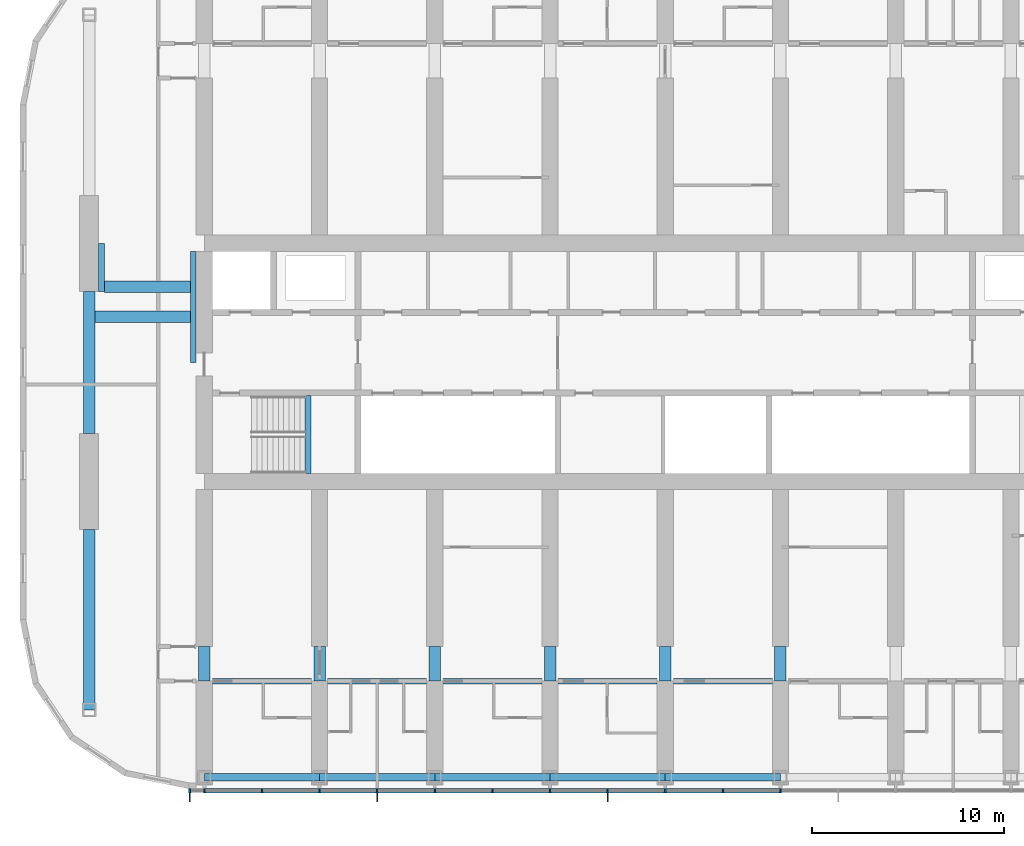
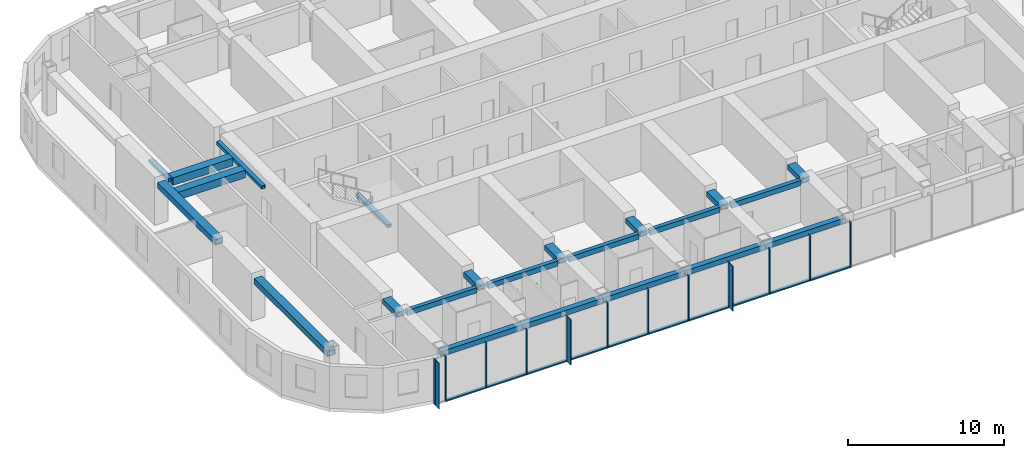
# One storey, part 2 of 22: 25 members, 23 beams, 1 element without a shape of its own.
"""IFC4 building model written with IfcOpenShell, lengths in metres."""

from ifc_helpers import new_model, si_unit, direction, frame, origin, origin_2d, place, context, subcontext, project, spatial, rectangle, hollow_rectangle, extrude, material, material_profile, profile_set, type_object, element, aggregate, save


model = new_model("IFC4")

# Units and contexts
model_context = context("Model", 3, precision=1e-05, world=origin(), true_north=direction((0.0, 1.0)))
body_context = subcontext(model_context, "Body", "Model", "MODEL_VIEW")
ifc_project = project(units=[si_unit("LENGTHUNIT", "METRE"), si_unit("AREAUNIT", "SQUARE_METRE"), si_unit("VOLUMEUNIT", "CUBIC_METRE"), si_unit("PLANEANGLEUNIT", "RADIAN"), si_unit("MASSUNIT", "GRAM", prefix="KILO")], contexts=[model_context])

# Site, building, storey
site_placement = place(None, origin())
site = spatial("IfcSite", under=ifc_project, at=site_placement, CompositionType="ELEMENT")
building_placement = place(site_placement, origin())
building = spatial("IfcBuilding", under=site, at=building_placement, Name="Orbita Commons", CompositionType="ELEMENT")
storey_placement = place(building_placement, frame((0.0, 0.0, 189.85009765625)))
storey = spatial("IfcBuildingStorey", under=building, at=storey_placement, Name="L47", CompositionType="ELEMENT", Elevation=189.85009765625)

# Curtain wall, members
ifc_material_1 = material(Name="Anodised aluminium frame, pale silver", Category="aluminium")
curtain_wall_type = type_object("IfcCurtainWallType", Name="Unitised curtain wall CW-U, full-height vision", PredefinedType="NOTDEFINED", material=ifc_material_1)
curtain_wall_placement = place(storey_placement, origin())
curtain_wall = element("IfcCurtainWall", 1, at=curtain_wall_placement, inside=storey, type_object=curtain_wall_type, Name="Curtain wall south L47", PredefinedType="NOTDEFINED")
ifc_material_2 = material(Name="Anodised aluminium, pale silver", Category="aluminium")
ifc_material_profile_1 = material_profile(ifc_material_2, rectangle(XDim=0.080078125, YDim=0.219970703125, at=origin_2d()), Name="AL 80x220")
ifc_profile_set_1 = profile_set([ifc_material_profile_1], Name="Anodised aluminium, pale silver")
member_type_1 = type_object("IfcMemberType", Name="Curtain wall mullion 80x220", PredefinedType="MULLION", material=ifc_profile_set_1)
member_1_placement = place(storey_placement, frame((17.239990234375, 9.68994140625, -0.25), z_axis=(0.0, 0.0, 1.0), x_axis=(1.0, 0.0, 0.0)))
member_1 = element("IfcMember", 2, at=member_1_placement, type_object=member_type_1, Name="Mullion 1 CW-L47-S", PredefinedType="MULLION", context=body_context, shape_type="SweptSolid", body=[
    extrude(rectangle(XDim=0.080078125, YDim=0.219970703125, at=origin_2d()), origin(), (0.0, 0.0, 1.0), 3.5498046875),
])
member_2_placement = place(storey_placement, frame((18.0, 9.68994140625, -0.25), z_axis=(0.0, 0.0, 1.0), x_axis=(1.0, 0.0, 0.0)))
member_2 = element("IfcMember", 3, at=member_2_placement, type_object=member_type_1, Name="Mullion 2 CW-L47-S", PredefinedType="MULLION", context=body_context, shape_type="SweptSolid", body=[
    extrude(rectangle(XDim=0.080078125, YDim=0.219970703125, at=origin_2d()), origin(), (0.0, 0.0, 1.0), 3.5498046875),
])
member_3_placement = place(storey_placement, frame((21.0, 9.68994140625, -0.25), z_axis=(0.0, 0.0, 1.0), x_axis=(1.0, 0.0, 0.0)))
member_3 = element("IfcMember", 4, at=member_3_placement, type_object=member_type_1, Name="Mullion 3 CW-L47-S", PredefinedType="MULLION", context=body_context, shape_type="SweptSolid", body=[
    extrude(rectangle(XDim=0.080078125, YDim=0.219970703125, at=origin_2d()), origin(), (0.0, 0.0, 1.0), 3.5498046875),
])
member_4_placement = place(storey_placement, frame((24.0, 9.68994140625, -0.25), z_axis=(0.0, 0.0, 1.0), x_axis=(1.0, 0.0, 0.0)))
member_4 = element("IfcMember", 5, at=member_4_placement, type_object=member_type_1, Name="Mullion 4 CW-L47-S", PredefinedType="MULLION", context=body_context, shape_type="SweptSolid", body=[
    extrude(rectangle(XDim=0.080078125, YDim=0.219970703125, at=origin_2d()), origin(), (0.0, 0.0, 1.0), 3.5498046875),
])
member_5_placement = place(storey_placement, frame((27.0, 9.68994140625, -0.25), z_axis=(0.0, 0.0, 1.0), x_axis=(1.0, 0.0, 0.0)))
member_5 = element("IfcMember", 6, at=member_5_placement, type_object=member_type_1, Name="Mullion 5 CW-L47-S", PredefinedType="MULLION", context=body_context, shape_type="SweptSolid", body=[
    extrude(rectangle(XDim=0.080078125, YDim=0.219970703125, at=origin_2d()), origin(), (0.0, 0.0, 1.0), 3.5498046875),
])
member_6_placement = place(storey_placement, frame((30.0, 9.68994140625, -0.25), z_axis=(0.0, 0.0, 1.0), x_axis=(1.0, 0.0, 0.0)))
member_6 = element("IfcMember", 7, at=member_6_placement, type_object=member_type_1, Name="Mullion 6 CW-L47-S", PredefinedType="MULLION", context=body_context, shape_type="SweptSolid", body=[
    extrude(rectangle(XDim=0.080078125, YDim=0.219970703125, at=origin_2d()), origin(), (0.0, 0.0, 1.0), 3.5498046875),
])
member_7_placement = place(storey_placement, frame((33.0, 9.68994140625, -0.25), z_axis=(0.0, 0.0, 1.0), x_axis=(1.0, 0.0, 0.0)))
member_7 = element("IfcMember", 8, at=member_7_placement, type_object=member_type_1, Name="Mullion 7 CW-L47-S", PredefinedType="MULLION", context=body_context, shape_type="SweptSolid", body=[
    extrude(rectangle(XDim=0.080078125, YDim=0.219970703125, at=origin_2d()), origin(), (0.0, 0.0, 1.0), 3.5498046875),
])
member_8_placement = place(storey_placement, frame((36.0, 9.68994140625, -0.25), z_axis=(0.0, 0.0, 1.0), x_axis=(1.0, 0.0, 0.0)))
member_8 = element("IfcMember", 9, at=member_8_placement, type_object=member_type_1, Name="Mullion 8 CW-L47-S", PredefinedType="MULLION", context=body_context, shape_type="SweptSolid", body=[
    extrude(rectangle(XDim=0.080078125, YDim=0.219970703125, at=origin_2d()), origin(), (0.0, 0.0, 1.0), 3.5498046875),
])
member_9_placement = place(storey_placement, frame((39.0, 9.68994140625, -0.25), z_axis=(0.0, 0.0, 1.0), x_axis=(1.0, 0.0, 0.0)))
member_9 = element("IfcMember", 10, at=member_9_placement, type_object=member_type_1, Name="Mullion 9 CW-L47-S", PredefinedType="MULLION", context=body_context, shape_type="SweptSolid", body=[
    extrude(rectangle(XDim=0.080078125, YDim=0.219970703125, at=origin_2d()), origin(), (0.0, 0.0, 1.0), 3.5498046875),
])
member_10_placement = place(storey_placement, frame((42.0, 9.68994140625, -0.25), z_axis=(0.0, 0.0, 1.0), x_axis=(1.0, 0.0, 0.0)))
member_10 = element("IfcMember", 11, at=member_10_placement, type_object=member_type_1, Name="Mullion 10 CW-L47-S", PredefinedType="MULLION", context=body_context, shape_type="SweptSolid", body=[
    extrude(rectangle(XDim=0.080078125, YDim=0.219970703125, at=origin_2d()), origin(), (0.0, 0.0, 1.0), 3.5498046875),
])
member_11_placement = place(storey_placement, frame((45.0, 9.68994140625, -0.25), z_axis=(0.0, 0.0, 1.0), x_axis=(1.0, 0.0, 0.0)))
member_11 = element("IfcMember", 12, at=member_11_placement, type_object=member_type_1, Name="Mullion 11 CW-L47-S", PredefinedType="MULLION", context=body_context, shape_type="SweptSolid", body=[
    extrude(rectangle(XDim=0.080078125, YDim=0.219970703125, at=origin_2d()), origin(), (0.0, 0.0, 1.0), 3.5498046875),
])
member_12_placement = place(storey_placement, frame((48.0, 9.68994140625, -0.25), z_axis=(0.0, 0.0, 1.0), x_axis=(1.0, 0.0, 0.0)))
member_12 = element("IfcMember", 13, at=member_12_placement, type_object=member_type_1, Name="Mullion 12 CW-L47-S", PredefinedType="MULLION", context=body_context, shape_type="SweptSolid", body=[
    extrude(rectangle(XDim=0.080078125, YDim=0.219970703125, at=origin_2d()), origin(), (0.0, 0.0, 1.0), 3.5498046875),
])
ifc_material_3 = material(Name="Anodised aluminium, pale silver", Category="aluminium")
ifc_material_profile_2 = material_profile(ifc_material_3, rectangle(XDim=0.219970703125, YDim=0.10009765625, at=origin_2d()), Name="AL 220x100")
ifc_profile_set_2 = profile_set([ifc_material_profile_2], Name="Anodised aluminium, pale silver")
member_type_2 = type_object("IfcMemberType", Name="Curtain wall stack transom 220x100", PredefinedType="USERDEFINED", material=ifc_profile_set_2)
member_13_placement = place(storey_placement, frame((18.0400390625, 9.68994140625, -0.2001953125), z_axis=(1.0, 0.0, 0.0), x_axis=(0.0, 1.0, 0.0)))
member_13 = element("IfcMember", 14, at=member_13_placement, type_object=member_type_2, Name="Transom 2.1 CW-L47-S", ObjectType="TRANSOM", PredefinedType="USERDEFINED", context=body_context, shape_type="SweptSolid", body=[
    extrude(rectangle(XDim=0.219970703125, YDim=0.10009765625, at=origin_2d()), origin(), (0.0, 0.0, 1.0), 2.919921875),
])
member_14_placement = place(storey_placement, frame((21.0400390625, 9.68994140625, -0.2001953125), z_axis=(1.0, 0.0, 0.0), x_axis=(0.0, 1.0, 0.0)))
member_14 = element("IfcMember", 15, at=member_14_placement, type_object=member_type_2, Name="Transom 3.1 CW-L47-S", ObjectType="TRANSOM", PredefinedType="USERDEFINED", context=body_context, shape_type="SweptSolid", body=[
    extrude(rectangle(XDim=0.219970703125, YDim=0.10009765625, at=origin_2d()), origin(), (0.0, 0.0, 1.0), 2.919921875),
])
member_15_placement = place(storey_placement, frame((24.0400390625, 9.68994140625, -0.2001953125), z_axis=(1.0, 0.0, 0.0), x_axis=(0.0, 1.0, 0.0)))
member_15 = element("IfcMember", 16, at=member_15_placement, type_object=member_type_2, Name="Transom 4.1 CW-L47-S", ObjectType="TRANSOM", PredefinedType="USERDEFINED", context=body_context, shape_type="SweptSolid", body=[
    extrude(rectangle(XDim=0.219970703125, YDim=0.10009765625, at=origin_2d()), origin(), (0.0, 0.0, 1.0), 2.919921875),
])
member_16_placement = place(storey_placement, frame((27.0400390625, 9.68994140625, -0.2001953125), z_axis=(1.0, 0.0, 0.0), x_axis=(0.0, 1.0, 0.0)))
member_16 = element("IfcMember", 17, at=member_16_placement, type_object=member_type_2, Name="Transom 5.1 CW-L47-S", ObjectType="TRANSOM", PredefinedType="USERDEFINED", context=body_context, shape_type="SweptSolid", body=[
    extrude(rectangle(XDim=0.219970703125, YDim=0.10009765625, at=origin_2d()), origin(), (0.0, 0.0, 1.0), 2.919921875),
])
member_17_placement = place(storey_placement, frame((30.0400390625, 9.68994140625, -0.2001953125), z_axis=(1.0, 0.0, 0.0), x_axis=(0.0, 1.0, 0.0)))
member_17 = element("IfcMember", 18, at=member_17_placement, type_object=member_type_2, Name="Transom 6.1 CW-L47-S", ObjectType="TRANSOM", PredefinedType="USERDEFINED", context=body_context, shape_type="SweptSolid", body=[
    extrude(rectangle(XDim=0.219970703125, YDim=0.10009765625, at=origin_2d()), origin(), (0.0, 0.0, 1.0), 2.919921875),
])
member_18_placement = place(storey_placement, frame((33.0400390625, 9.68994140625, -0.2001953125), z_axis=(1.0, 0.0, 0.0), x_axis=(0.0, 1.0, 0.0)))
member_18 = element("IfcMember", 19, at=member_18_placement, type_object=member_type_2, Name="Transom 7.1 CW-L47-S", ObjectType="TRANSOM", PredefinedType="USERDEFINED", context=body_context, shape_type="SweptSolid", body=[
    extrude(rectangle(XDim=0.219970703125, YDim=0.10009765625, at=origin_2d()), origin(), (0.0, 0.0, 1.0), 2.919921875),
])
member_19_placement = place(storey_placement, frame((36.0400390625, 9.68994140625, -0.2001953125), z_axis=(1.0, 0.0, 0.0), x_axis=(0.0, 1.0, 0.0)))
member_19 = element("IfcMember", 20, at=member_19_placement, type_object=member_type_2, Name="Transom 8.1 CW-L47-S", ObjectType="TRANSOM", PredefinedType="USERDEFINED", context=body_context, shape_type="SweptSolid", body=[
    extrude(rectangle(XDim=0.219970703125, YDim=0.10009765625, at=origin_2d()), origin(), (0.0, 0.0, 1.0), 2.919921875),
])
member_20_placement = place(storey_placement, frame((39.0400390625, 9.68994140625, -0.2001953125), z_axis=(1.0, 0.0, 0.0), x_axis=(0.0, 1.0, 0.0)))
member_20 = element("IfcMember", 21, at=member_20_placement, type_object=member_type_2, Name="Transom 9.1 CW-L47-S", ObjectType="TRANSOM", PredefinedType="USERDEFINED", context=body_context, shape_type="SweptSolid", body=[
    extrude(rectangle(XDim=0.219970703125, YDim=0.10009765625, at=origin_2d()), origin(), (0.0, 0.0, 1.0), 2.919921875),
])
member_21_placement = place(storey_placement, frame((42.0400390625, 9.68994140625, -0.2001953125), z_axis=(1.0, 0.0, 0.0), x_axis=(0.0, 1.0, 0.0)))
member_21 = element("IfcMember", 22, at=member_21_placement, type_object=member_type_2, Name="Transom 10.1 CW-L47-S", ObjectType="TRANSOM", PredefinedType="USERDEFINED", context=body_context, shape_type="SweptSolid", body=[
    extrude(rectangle(XDim=0.219970703125, YDim=0.10009765625, at=origin_2d()), origin(), (0.0, 0.0, 1.0), 2.919921875),
])
member_22_placement = place(storey_placement, frame((45.0400390625, 9.68994140625, -0.2001953125), z_axis=(1.0, 0.0, 0.0), x_axis=(0.0, 1.0, 0.0)))
member_22 = element("IfcMember", 23, at=member_22_placement, type_object=member_type_2, Name="Transom 11.1 CW-L47-S", ObjectType="TRANSOM", PredefinedType="USERDEFINED", context=body_context, shape_type="SweptSolid", body=[
    extrude(rectangle(XDim=0.219970703125, YDim=0.10009765625, at=origin_2d()), origin(), (0.0, 0.0, 1.0), 2.919921875),
])

# Beams
ifc_material_4 = material(Name="Steel ASTM A572 Gr 50 welded plate", Category="steel")
ifc_material_profile_3 = material_profile(ifc_material_4, hollow_rectangle(XDim=0.300048828125, YDim=0.25, WallThickness=0.02490234375, at=origin_2d()), Name="BOX 250x300x25")
ifc_profile_set_3 = profile_set([ifc_material_profile_3], Name="Steel ASTM A572 Gr 50 welded plate")
beam_type_1 = type_object("IfcBeamType", Name="Stair landing beam steel BOX 250x300x25", PredefinedType="BEAM", material=ifc_profile_set_3)
beam_1_placement = place(storey_placement, frame((23.39990234375, 26.2099609375, 1.5498046875), z_axis=(0.0, 1.0, 0.0), x_axis=(-1.0, 0.0, 0.0)))
element("IfcBeam", 24, at=beam_1_placement, inside=storey, type_object=beam_type_1, Name="Stair S1 landing beam L47 1", PredefinedType="BEAM", context=body_context, shape_type="SweptSolid", body=[
    extrude(hollow_rectangle(XDim=0.300048828125, YDim=0.25, WallThickness=0.02490234375, at=origin_2d()), origin(), (0.0, 0.0, 1.0), 4.054931640625),
])
ifc_material_5 = material(Name="Steel ASTM A572 Gr 50 welded plate", Category="steel")
ifc_material_profile_4 = material_profile(ifc_material_5, hollow_rectangle(XDim=0.60009765625, YDim=0.60009765625, WallThickness=0.06005859375, at=origin_2d()), Name="BOX 600x600x60")
ifc_profile_set_4 = profile_set([ifc_material_profile_4], Name="Steel ASTM A572 Gr 50 welded plate")
beam_type_2 = type_object("IfcBeamType", Name="Stair trimmer beam BOX 600x600x60", PredefinedType="BEAM", material=ifc_profile_set_4)
beam_2_placement = place(storey_placement, frame((12.300048828125, 34.375, 3.0), z_axis=(1.0, 0.0, 0.0), x_axis=(0.0, 1.0, 0.0)))
element("IfcBeam", 25, at=beam_2_placement, inside=storey, type_object=beam_type_2, Name="Neighbourhood stair L48 to L49 transfer beam 1", PredefinedType="BEAM", context=body_context, shape_type="SweptSolid", body=[
    extrude(hollow_rectangle(XDim=0.60009765625, YDim=0.60009765625, WallThickness=0.06005859375, at=origin_2d()), origin(), (0.0, 0.0, 1.0), 4.974853515625),
])
beam_3_placement = place(storey_placement, frame((12.800048828125, 35.93505859375, 3.0), z_axis=(1.0, 0.0, 0.0), x_axis=(0.0, 1.0, 0.0)))
element("IfcBeam", 26, at=beam_3_placement, inside=storey, type_object=beam_type_2, Name="Neighbourhood stair L48 to L49 transfer beam 2", PredefinedType="BEAM", context=body_context, shape_type="SweptSolid", body=[
    extrude(hollow_rectangle(XDim=0.60009765625, YDim=0.60009765625, WallThickness=0.06005859375, at=origin_2d()), origin(), (0.0, 0.0, 1.0), 4.474853515625),
])
ifc_material_6 = material(Name="Steel ASTM A572 Gr 50 welded plate", Category="steel")
ifc_material_profile_5 = material_profile(ifc_material_6, hollow_rectangle(XDim=0.300048828125, YDim=0.39990234375, WallThickness=0.0400390625, at=origin_2d()), Name="BOX 400x300x40")
ifc_profile_set_5 = profile_set([ifc_material_profile_5], Name="Steel ASTM A572 Gr 50 welded plate")
beam_type_3 = type_object("IfcBeamType", Name="Steel corridor link BOX 400x300x40", PredefinedType="BEAM", material=ifc_profile_set_5)
for number, where, z_axis, x_axis, name in (
    (27, (18.425048828125, 15.39990234375, 3.099853515625), (1.0, 0.0, 0.0), (0.0, 1.0, 0.0), "Corridor beam SA 4-5 L47"),
    (28, (24.425048828125, 15.39990234375, 3.099853515625), (1.0, 0.0, 0.0), (0.0, 1.0, 0.0), "Corridor beam SA 5-6 L47"),
    (29, (30.425048828125, 15.39990234375, 3.099853515625), (1.0, 0.0, 0.0), (0.0, 1.0, 0.0), "Corridor beam SA 6-7 L47"),
    (30, (36.425048828125, 15.39990234375, 3.099853515625), (1.0, 0.0, 0.0), (0.0, 1.0, 0.0), "Corridor beam SA 7-8 L47"),
    (31, (42.425048828125, 15.39990234375, 3.099853515625), (1.0, 0.0, 0.0), (0.0, 1.0, 0.0), "Corridor beam SA 8-9 L47"),
):
    element("IfcBeam", number, at=place(storey_placement, frame(where, z_axis=z_axis, x_axis=x_axis)), inside=storey, type_object=beam_type_3, Name=name, PredefinedType="BEAM", context=body_context, shape_type="SweptSolid", body=[
        extrude(hollow_rectangle(XDim=0.300048828125, YDim=0.39990234375, WallThickness=0.0400390625, at=origin_2d()), origin(), (0.0, 0.0, 1.0), 5.14990234375),
    ])
ifc_material_7 = material(Name="Steel ASTM A572 Gr 50 welded plate", Category="steel")
ifc_material_profile_6 = material_profile(ifc_material_7, hollow_rectangle(XDim=0.60009765625, YDim=0.39990234375, WallThickness=0.050048828125, at=origin_2d()), Name="BOX 400x600x50")
ifc_profile_set_6 = profile_set([ifc_material_profile_6], Name="Steel ASTM A572 Gr 50 welded plate")
beam_type_4 = type_object("IfcBeamType", Name="Steel coupling link BOX 400x600x50", PredefinedType="LINTEL", material=ifc_profile_set_6)
for number, where, z_axis, x_axis, name in (
    (32, (18.0, 15.39990234375, 3.099853515625), (0.0, 1.0, 0.0), (-1.0, 0.0, 0.0), "Coupling beam 4 south L47"),
    (33, (24.0, 15.39990234375, 3.099853515625), (0.0, 1.0, 0.0), (-1.0, 0.0, 0.0), "Coupling beam 5 south L47"),
    (34, (30.0, 15.39990234375, 3.099853515625), (0.0, 1.0, 0.0), (-1.0, 0.0, 0.0), "Coupling beam 6 south L47"),
    (35, (36.0, 15.39990234375, 3.099853515625), (0.0, 1.0, 0.0), (-1.0, 0.0, 0.0), "Coupling beam 7 south L47"),
    (36, (42.0, 15.39990234375, 3.099853515625), (0.0, 1.0, 0.0), (-1.0, 0.0, 0.0), "Coupling beam 8 south L47"),
    (37, (48.0, 15.39990234375, 3.099853515625), (0.0, 1.0, 0.0), (-1.0, 0.0, 0.0), "Coupling beam 9 south L47"),
):
    element("IfcBeam", number, at=place(storey_placement, frame(where, z_axis=z_axis, x_axis=x_axis)), inside=storey, type_object=beam_type_4, Name=name, PredefinedType="LINTEL", context=body_context, shape_type="SweptSolid", body=[
        extrude(hollow_rectangle(XDim=0.60009765625, YDim=0.39990234375, WallThickness=0.050048828125, at=origin_2d()), origin(), (0.0, 0.0, 1.0), 1.800048828125),
    ])
ifc_material_8 = material(Name="Steel ASTM A572 Gr 50 welded plate", Category="steel")
ifc_material_profile_7 = material_profile(ifc_material_8, hollow_rectangle(XDim=0.60009765625, YDim=0.449951171875, WallThickness=0.06005859375, at=origin_2d()), Name="BOX 450x600x60")
ifc_profile_set_7 = profile_set([ifc_material_profile_7], Name="Steel ASTM A572 Gr 50 welded plate")
beam_type_5 = type_object("IfcBeamType", Name="Steel end frame link BOX 450x600x60", PredefinedType="BEAM", material=ifc_profile_set_7)
beam_4_placement = place(storey_placement, frame((12.0, 13.89990234375, 3.074951171875), z_axis=(0.0, 1.0, 0.0), x_axis=(-1.0, 0.0, 0.0)))
element("IfcBeam", 38, at=beam_4_placement, inside=storey, type_object=beam_type_5, Name="End frame beam 3 B-C L47", PredefinedType="BEAM", context=body_context, shape_type="SweptSolid", body=[
    extrude(hollow_rectangle(XDim=0.60009765625, YDim=0.449951171875, WallThickness=0.06005859375, at=origin_2d()), origin(), (0.0, 0.0, 1.0), 9.400146484375),
])
beam_5_placement = place(storey_placement, frame((12.0, 28.300048828125, 3.074951171875), z_axis=(0.0, 1.0, 0.0), x_axis=(-1.0, 0.0, 0.0)))
element("IfcBeam", 39, at=beam_5_placement, inside=storey, type_object=beam_type_5, Name="End frame beam 3 C-D L47", PredefinedType="BEAM", context=body_context, shape_type="SweptSolid", body=[
    extrude(hollow_rectangle(XDim=0.60009765625, YDim=0.449951171875, WallThickness=0.06005859375, at=origin_2d()), origin(), (0.0, 0.0, 1.0), 7.39990234375),
])
ifc_material_9 = material(Name="Steel ASTM A572 Gr 50 welded plate", Category="steel")
ifc_material_profile_8 = material_profile(ifc_material_9, hollow_rectangle(XDim=0.39990234375, YDim=0.39990234375, WallThickness=0.0400390625, at=origin_2d()), Name="BOX 400x400x40")
ifc_profile_set_8 = profile_set([ifc_material_profile_8], Name="Steel ASTM A572 Gr 50 welded plate")
beam_type_6 = type_object("IfcBeamType", Name="Steel spandrel BOX 400x400x40", PredefinedType="SPANDREL", material=ifc_profile_set_8)
for number, where, z_axis, x_axis, name in (
    (40, (18.0, 10.39990234375, 3.099853515625), (1.0, 0.0, 0.0), (0.0, 1.0, 0.0), "Spandrel beam B 4-5 L47"),
    (41, (24.0, 10.39990234375, 3.099853515625), (1.0, 0.0, 0.0), (0.0, 1.0, 0.0), "Spandrel beam B 5-6 L47"),
    (42, (30.0, 10.39990234375, 3.099853515625), (1.0, 0.0, 0.0), (0.0, 1.0, 0.0), "Spandrel beam B 6-7 L47"),
    (43, (36.0, 10.39990234375, 3.099853515625), (1.0, 0.0, 0.0), (0.0, 1.0, 0.0), "Spandrel beam B 7-8 L47"),
    (44, (42.0, 10.39990234375, 3.099853515625), (1.0, 0.0, 0.0), (0.0, 1.0, 0.0), "Spandrel beam B 8-9 L47"),
):
    element("IfcBeam", number, at=place(storey_placement, frame(where, z_axis=z_axis, x_axis=x_axis)), inside=storey, type_object=beam_type_6, Name=name, PredefinedType="SPANDREL", context=body_context, shape_type="SweptSolid", body=[
        extrude(hollow_rectangle(XDim=0.39990234375, YDim=0.39990234375, WallThickness=0.0400390625, at=origin_2d()), origin(), (0.0, 0.0, 1.0), 6.0),
    ])
ifc_material_10 = material(Name="Steel ASTM A572 Gr 50 welded plate", Category="steel")
ifc_material_profile_9 = material_profile(ifc_material_10, hollow_rectangle(XDim=0.300048828125, YDim=0.25, WallThickness=0.02490234375, at=origin_2d()), Name="BOX 250x300x25")
ifc_profile_set_9 = profile_set([ifc_material_profile_9], Name="Steel ASTM A572 Gr 50 welded plate")
beam_type_7 = type_object("IfcBeamType", Name="Trimmer ledger beam BOX 250x300x25", PredefinedType="BEAM", material=ifc_profile_set_9)
beam_6_placement = place(storey_placement, frame((17.425048828125, 32.0, 3.1748046875), z_axis=(0.0, 1.0, 0.0), x_axis=(-1.0, 0.0, 0.0)))
element("IfcBeam", 45, at=beam_6_placement, inside=storey, type_object=beam_type_7, Name="Neighbourhood stair L48 to L49 trimmer ledger 1E", PredefinedType="BEAM", context=body_context, shape_type="SweptSolid", body=[
    extrude(hollow_rectangle(XDim=0.300048828125, YDim=0.25, WallThickness=0.02490234375, at=origin_2d()), origin(), (0.0, 0.0, 1.0), 5.77490234375),
])
beam_7_placement = place(storey_placement, frame((12.64990234375, 35.699951171875, 3.1748046875), z_axis=(0.0, 1.0, 0.0), x_axis=(-1.0, 0.0, 0.0)))
element("IfcBeam", 46, at=beam_7_placement, inside=storey, type_object=beam_type_7, Name="Neighbourhood stair L48 to L49 trimmer ledger 2W", PredefinedType="BEAM", context=body_context, shape_type="SweptSolid", body=[
    extrude(hollow_rectangle(XDim=0.300048828125, YDim=0.25, WallThickness=0.02490234375, at=origin_2d()), origin(), (0.0, 0.0, 1.0), 2.5),
])

# Member
ifc_material_11 = material(Name="Anodised aluminium, pale silver", Category="aluminium")
ifc_material_profile_10 = material_profile(ifc_material_11, rectangle(XDim=0.06005859375, YDim=0.449951171875, at=origin_2d()), Name="FIN 60x450")
ifc_profile_set_10 = profile_set([ifc_material_profile_10], Name="Anodised aluminium, pale silver")
member_type_3 = type_object("IfcMemberType", Name="Vertical fin 60x450 pale aluminium", PredefinedType="USERDEFINED", material=ifc_profile_set_10)
member_23_placement = place(storey_placement, frame((17.239990234375, 9.35498046875, -0.25), z_axis=(0.0, 0.0, 1.0), x_axis=(1.0, 0.0, 0.0)))
member_23 = element("IfcMember", 47, at=member_23_placement, type_object=member_type_3, Name="Fin 1 CW-L47-S", ObjectType="FIN", PredefinedType="USERDEFINED", context=body_context, shape_type="SweptSolid", body=[
    extrude(rectangle(XDim=0.06005859375, YDim=0.449951171875, at=origin_2d()), origin(), (0.0, 0.0, 1.0), 3.5498046875),
])

member_24_placement = place(storey_placement, frame((27.0, 9.35498046875, -0.25), z_axis=(0.0, 0.0, 1.0), x_axis=(1.0, 0.0, 0.0)))
member_24 = element("IfcMember", 48, at=member_24_placement, type_object=member_type_3, Name="Fin 5 CW-L47-S", ObjectType="FIN", PredefinedType="USERDEFINED", context=body_context, shape_type="SweptSolid", body=[
    extrude(rectangle(XDim=0.06005859375, YDim=0.449951171875, at=origin_2d()), origin(), (0.0, 0.0, 1.0), 3.5498046875),
])

member_25_placement = place(storey_placement, frame((39.0, 9.35498046875, -0.25), z_axis=(0.0, 0.0, 1.0), x_axis=(1.0, 0.0, 0.0)))
member_25 = element("IfcMember", 49, at=member_25_placement, type_object=member_type_3, Name="Fin 9 CW-L47-S", ObjectType="FIN", PredefinedType="USERDEFINED", context=body_context, shape_type="SweptSolid", body=[
    extrude(rectangle(XDim=0.06005859375, YDim=0.449951171875, at=origin_2d()), origin(), (0.0, 0.0, 1.0), 3.5498046875),
])

aggregate(curtain_wall, [member_1, member_23, member_2, member_3, member_4, member_5, member_24, member_6, member_7, member_8, member_9, member_25, member_10, member_11, member_12, member_13, member_14, member_15, member_16, member_17, member_18, member_19, member_20, member_21, member_22])

save(model, "model.ifc")
